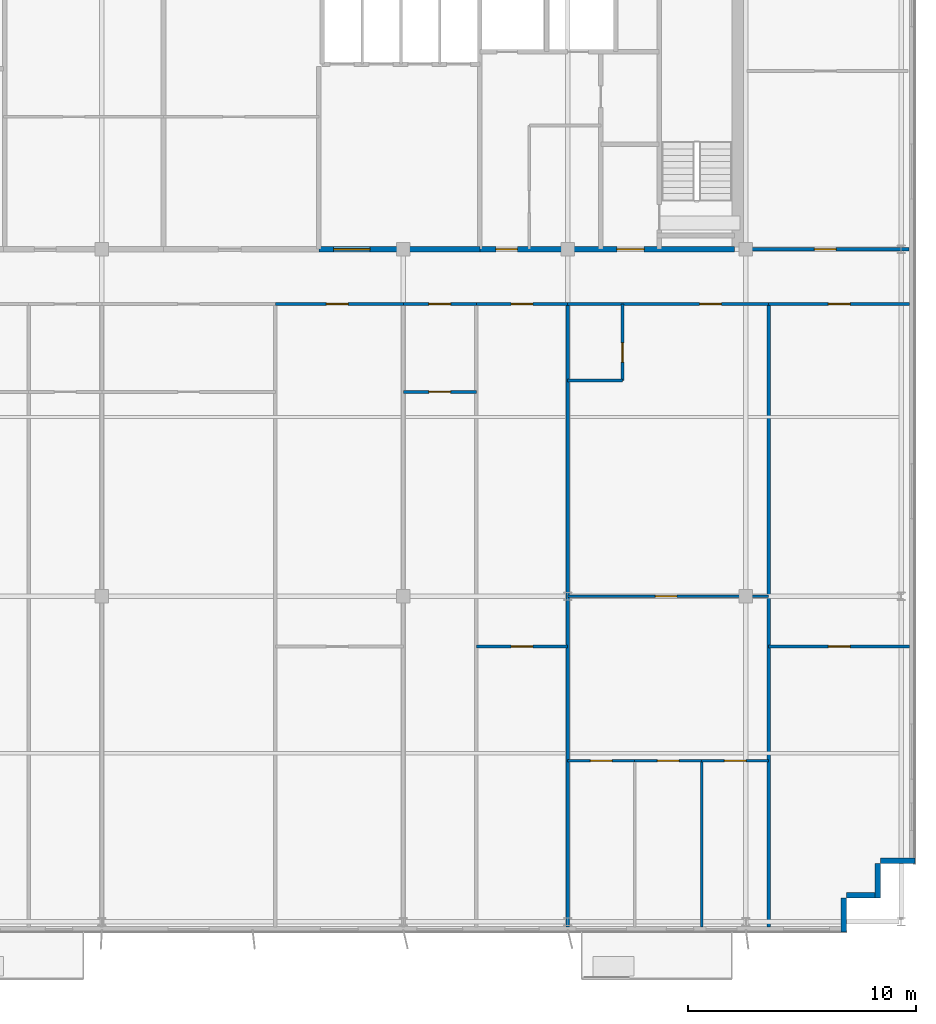
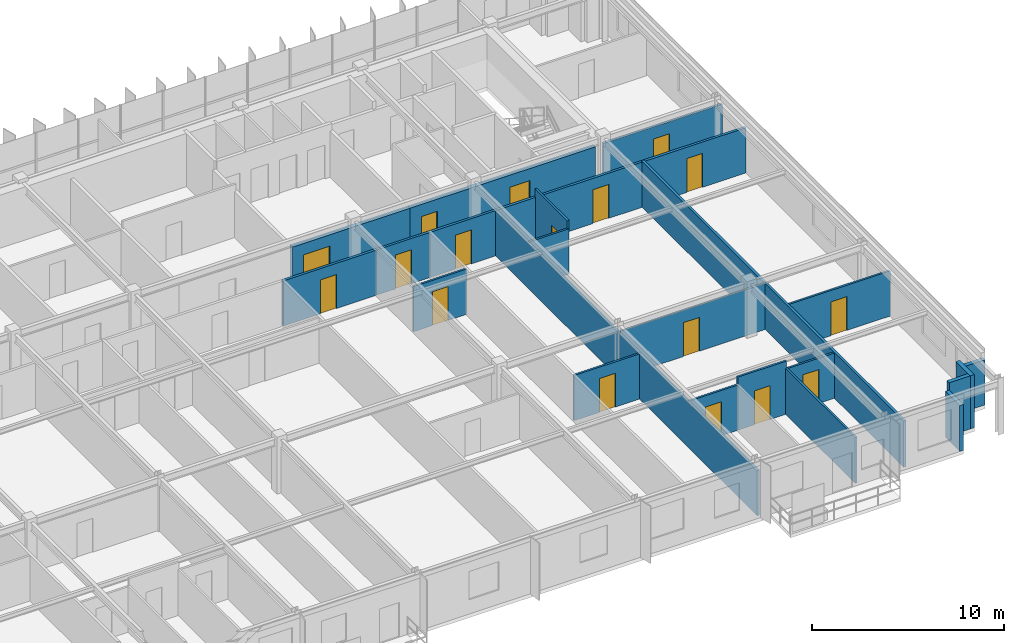
# One storey, part 18 of 22: 24 walls, 17 doors, 17 openings.
"""IFC4 building model written with IfcOpenShell, lengths in metres."""

from ifc_helpers import new_model, si_unit, direction, frame, frame_2d, origin, place, context, subcontext, project, spatial, rectangle, extrude, source, transform, mapped, material, layer, layer_set, type_object, element, fill, save


model = new_model("IFC4")

# Units and contexts
model_context = context("Model", 3, precision=1e-05, world=origin(), true_north=direction((0.0, 1.0)))
body_context = subcontext(model_context, "Body", "Model", "MODEL_VIEW")
ifc_project = project(units=[si_unit("LENGTHUNIT", "METRE"), si_unit("AREAUNIT", "SQUARE_METRE"), si_unit("VOLUMEUNIT", "CUBIC_METRE"), si_unit("PLANEANGLEUNIT", "RADIAN"), si_unit("MASSUNIT", "GRAM", prefix="KILO")], contexts=[model_context])

# Site, building, storey
site_placement = place(None, origin())
site = spatial("IfcSite", under=ifc_project, at=site_placement, CompositionType="ELEMENT")
building_placement = place(site_placement, origin())
building = spatial("IfcBuilding", under=site, at=building_placement, Name="Trelvane Seafront Commons", CompositionType="ELEMENT")
storey_placement = place(building_placement, frame((0.0, 0.0, 281.10009765625)))
storey = spatial("IfcBuildingStorey", under=building, at=storey_placement, Name="L73", CompositionType="ELEMENT", Elevation=281.10009765625)

# Walls
ifc_material_1 = material(Name="Precast concrete C40/50", Category="concrete")
ifc_layer_1 = layer(ifc_material_1, 0.239990234375, Name="ARCH-WALL-EXT240")
ifc_layer_set_1 = layer_set([ifc_layer_1], Name="Precast concrete C40/50")
wall_type_1 = type_object("IfcWallType", Name="ARCH-WALL-EXT240", PredefinedType="SOLIDWALL", material=ifc_layer_set_1)
wall_1_placement = place(storey_placement, frame((66.199951171875, 6.6201171875, 0.0), z_axis=(0.0, 0.0, 1.0), x_axis=(-1.0, 0.0, 0.0)))
element("IfcWall", 1, at=wall_1_placement, inside=storey, type_object=wall_type_1, Name="EW-L73-01481", PredefinedType="SOLIDWALL", context=body_context, shape_type="SweptSolid", body=[
    extrude(rectangle(XDim=1.5, YDim=0.239990234375, at=frame_2d((0.75, 0.0))), origin(), (0.0, 0.0, 1.0), 2.869873046875),
])
for number, where, z_axis, x_axis, name in (
    (2, (64.580078125, 6.5, 0.0), (0.0, 0.0, 1.0), (0.0, -1.0, 0.0), "EW-L73-01482"),
    (3, (64.699951171875, 5.1201171875, 0.0), (0.0, 0.0, 1.0), (-1.0, 0.0, 0.0), "EW-L73-01483"),
):
    element("IfcWall", number, at=place(storey_placement, frame(where, z_axis=z_axis, x_axis=x_axis)), inside=storey, type_object=wall_type_1, Name=name, PredefinedType="SOLIDWALL", context=body_context, shape_type="SweptSolid", body=[
        extrude(rectangle(XDim=1.5, YDim=0.239990234375, at=frame_2d((0.75, 0.0))), origin(), (0.0, 0.0, 1.0), 3.369873046875),
    ])
wall_2_placement = place(storey_placement, frame((63.080078125, 5.0, 0.0), z_axis=(0.0, 0.0, 1.0), x_axis=(0.0, -1.0, 0.0)))
element("IfcWall", 4, at=wall_2_placement, inside=storey, type_object=wall_type_1, Name="EW-L73-01484", PredefinedType="SOLIDWALL", context=body_context, shape_type="SweptSolid", body=[
    extrude(rectangle(XDim=1.5, YDim=0.239990234375, at=frame_2d((0.75, 0.0))), origin(), (0.0, 0.0, 1.0), 2.919921875),
])

# Wall, opening, door
ifc_material_2 = material(Name="Concrete C40/50", Category="concrete")
ifc_layer_2 = layer(ifc_material_2, 0.25, Name="ARCH-WALL-FIRE250")
ifc_layer_set_2 = layer_set([ifc_layer_2], Name="Concrete C40/50")
wall_type_2 = type_object("IfcWallType", Name="ARCH-WALL-FIRE250", PredefinedType="PARTITIONING", material=ifc_layer_set_2)
wall_3_placement = place(storey_placement, frame((40.10009765625, 33.39990234375, 0.0), z_axis=(0.0, 0.0, 1.0), x_axis=(1.0, 0.0, 0.0)))
wall_3 = element("IfcWall", 5, at=wall_3_placement, inside=storey, type_object=wall_type_2, Name="W-L73-CS-PAX-026", PredefinedType="PARTITIONING", context=body_context, shape_type="SweptSolid", body=[
    extrude(rectangle(XDim=7.0498046875, YDim=0.25, at=frame_2d((3.52490234375, 0.0))), origin(), (0.0, 0.0, 1.0), 2.919921875),
])
opening_1_placement = place(wall_3_placement, frame((0.64990234375, 0.0, 0.0)))
opening_1 = element("IfcOpeningElement", 6, at=opening_1_placement, cuts=wall_3, Name="Opening FD-L73-14", PredefinedType="OPENING", context=body_context, shape_type="SweptSolid", body=[
    extrude(rectangle(XDim=1.60009765625, YDim=2.199951171875, at=frame_2d((0.800048828125, 1.10009765625))), frame((0.0, 0.135009765625, 0.0), z_axis=(0.0, -1.0, 0.0), x_axis=(1.0, 0.0, 0.0)), (0.0, 0.0, 1.0), 0.27001953125),
])
ifc_material_3 = material(Name="Powder-coated aluminium frame", Category="aluminium")
door_type_1 = type_object("IfcDoorType", Name="ARCH-DR-FD60-1600", OperationType="DOUBLE_DOOR_SINGLE_SWING", PredefinedType="DOOR", material=ifc_material_3)
shared_shape_1 = source(origin(), body_context, "Body", "SweptSolid", [
    extrude(rectangle(XDim=1.60009765625, YDim=2.199951171875, at=frame_2d((0.800048828125, 1.10009765625))), frame((0.0, 0.02490234375, 0.0), z_axis=(0.0, -1.0, 0.0), x_axis=(1.0, 0.0, 0.0)), (0.0, 0.0, 1.0), 0.050048828125),
])
door_1_placement = place(opening_1_placement, origin())
door_1 = element("IfcDoor", 7, at=door_1_placement, inside=storey, type_object=door_type_1, Name="L73 High-Rise Lift Lobby Double Door", OperationType="DOUBLE_DOOR_SINGLE_SWING", OverallHeight=2.199951171875, OverallWidth=1.60009765625, PredefinedType="DOOR", context=body_context, shape_type="MappedRepresentation", body=[
    mapped(shared_shape_1, transform((0.0, 0.0, 0.0), x_axis=(1.0, 0.0, 0.0), y_axis=(0.0, 1.0, 0.0), z_axis=(0.0, 0.0, 1.0), scale=1.0)),
])
fill(opening_1, door_1)

# Wall, openings, doors
wall_4_placement = place(storey_placement, frame((47.14990234375, 33.39990234375, 0.0), z_axis=(0.0, 0.0, 1.0), x_axis=(1.0, 0.0, 0.0)))
wall_4 = element("IfcWall", 8, at=wall_4_placement, inside=storey, type_object=wall_type_2, Name="W-L73-CS-EAST-034", PredefinedType="PARTITIONING", context=body_context, shape_type="SweptSolid", body=[
    extrude(rectangle(XDim=11.150146484375, YDim=0.25, at=frame_2d((5.5751953125, 0.0))), origin(), (0.0, 0.0, 1.0), 2.919921875),
])
opening_2_placement = place(wall_4_placement, frame((0.699951171875, 0.0, 0.0)))
opening_2 = element("IfcOpeningElement", 9, at=opening_2_placement, cuts=wall_4, Name="Opening FD-L73-19", PredefinedType="OPENING", context=body_context, shape_type="SweptSolid", body=[
    extrude(rectangle(XDim=0.949951171875, YDim=2.14990234375, at=frame_2d((0.47509765625, 1.074951171875))), frame((0.0, 0.135009765625, 0.0), z_axis=(0.0, -1.0, 0.0), x_axis=(1.0, 0.0, 0.0)), (0.0, 0.0, 1.0), 0.27001953125),
])
opening_3_placement = place(wall_4_placement, frame((6.0, 0.0, 0.0)))
opening_3 = element("IfcOpeningElement", 10, at=opening_3_placement, cuts=wall_4, Name="Opening FD-L73-20", PredefinedType="OPENING", context=body_context, shape_type="SweptSolid", body=[
    extrude(rectangle(XDim=1.199951171875, YDim=2.14990234375, at=frame_2d((0.60009765625, 1.074951171875))), frame((0.0, 0.135009765625, 0.0), z_axis=(0.0, -1.0, 0.0), x_axis=(1.0, 0.0, 0.0)), (0.0, 0.0, 1.0), 0.27001953125),
])
door_type_2 = type_object("IfcDoorType", Name="ARCH-DR-FD60-950", OperationType="NOTDEFINED", PredefinedType="DOOR", material=ifc_material_3)
shared_shape_2 = source(origin(), body_context, "Body", "SweptSolid", [
    extrude(rectangle(XDim=0.949951171875, YDim=2.14990234375, at=frame_2d((0.47509765625, 1.074951171875))), frame((0.0, 0.02490234375, 0.0), z_axis=(0.0, -1.0, 0.0), x_axis=(1.0, 0.0, 0.0)), (0.0, 0.0, 1.0), 0.050048828125),
])
door_2_placement = place(opening_2_placement, origin())
door_2 = element("IfcDoor", 11, at=door_2_placement, inside=storey, type_object=door_type_2, Name="L73 Core Service Lobby Door", OperationType="SINGLE_SWING_LEFT", OverallHeight=2.14990234375, OverallWidth=0.949951171875, PredefinedType="DOOR", context=body_context, shape_type="MappedRepresentation", body=[
    mapped(shared_shape_2, transform((0.0, 0.0, 0.0), x_axis=(1.0, 0.0, 0.0), y_axis=(0.0, 1.0, 0.0), z_axis=(0.0, 0.0, 1.0), scale=1.0)),
])
fill(opening_2, door_2)
door_type_3 = type_object("IfcDoorType", Name="ARCH-DR-FD60-1200", OperationType="NOTDEFINED", PredefinedType="DOOR", material=ifc_material_3)
shared_shape_3 = source(origin(), body_context, "Body", "SweptSolid", [
    extrude(rectangle(XDim=1.199951171875, YDim=2.14990234375, at=frame_2d((0.60009765625, 1.074951171875))), frame((0.0, 0.02490234375, 0.0), z_axis=(0.0, -1.0, 0.0), x_axis=(1.0, 0.0, 0.0)), (0.0, 0.0, 1.0), 0.050048828125),
])
door_3_placement = place(opening_3_placement, origin())
door_3 = element("IfcDoor", 12, at=door_3_placement, inside=storey, type_object=door_type_3, Name="L73 East Stair Vestibule Fire Door", OperationType="SINGLE_SWING_RIGHT", OverallHeight=2.14990234375, OverallWidth=1.199951171875, PredefinedType="DOOR", context=body_context, shape_type="MappedRepresentation", body=[
    mapped(shared_shape_3, transform((0.0, 0.0, 0.0), x_axis=(1.0, 0.0, 0.0), y_axis=(0.0, 1.0, 0.0), z_axis=(0.0, 0.0, 1.0), scale=1.0)),
])
fill(opening_3, door_3)

# Wall, opening, door
ifc_material_4 = material(Name="Gypsum Drywall Acoustic Partition")
ifc_layer_3 = layer(ifc_material_4, 0.1201171875, Name="ARCH-WALL-PART120")
ifc_layer_set_3 = layer_set([ifc_layer_3], Name="Gypsum Drywall Acoustic Partition")
wall_type_3 = type_object("IfcWallType", Name="ARCH-WALL-PART120", PredefinedType="PARTITIONING", material=ifc_layer_set_3)
wall_5_placement = place(storey_placement, frame((43.800048828125, 27.14990234375, 0.0), z_axis=(0.0, 0.0, 1.0), x_axis=(1.0, 0.0, 0.0)))
wall_5 = element("IfcWall", 13, at=wall_5_placement, inside=storey, type_object=wall_type_3, Name="W-L73-U7-DIV-071", PredefinedType="PARTITIONING", context=body_context, shape_type="SweptSolid", body=[
    extrude(rectangle(XDim=3.199951171875, YDim=0.1201171875, at=frame_2d((1.60009765625, 0.0))), origin(), (0.0, 0.0, 1.0), 2.869873046875),
])
opening_4_placement = place(wall_5_placement, frame((1.125, 0.0, 0.0)))
opening_4 = element("IfcOpeningElement", 14, at=opening_4_placement, cuts=wall_5, Name="Opening D-L73-45", PredefinedType="OPENING", context=body_context, shape_type="SweptSolid", body=[
    extrude(rectangle(XDim=0.949951171875, YDim=2.14990234375, at=frame_2d((0.47509765625, 1.074951171875))), frame((0.0, 0.070068359375, 0.0), z_axis=(0.0, -1.0, 0.0), x_axis=(1.0, 0.0, 0.0)), (0.0, 0.0, 1.0), 0.14013671875),
])
ifc_material_5 = material(Name="Acoustic timber door leaf", Category="wood")
door_type_4 = type_object("IfcDoorType", Name="ARCH-DR-INT950", OperationType="NOTDEFINED", PredefinedType="DOOR", material=ifc_material_5)
door_4_placement = place(opening_4_placement, origin())
door_4 = element("IfcDoor", 15, at=door_4_placement, inside=storey, type_object=door_type_4, Name="L73 Door 45", OperationType="SINGLE_SWING_LEFT", OverallHeight=2.14990234375, OverallWidth=0.949951171875, PredefinedType="DOOR", context=body_context, shape_type="MappedRepresentation", body=[
    mapped(shared_shape_2, transform((0.0, 0.0, 0.0), x_axis=(1.0, 0.0, 0.0), y_axis=(0.0, 1.0, 0.0), z_axis=(0.0, 0.0, 1.0), scale=1.0)),
])
fill(opening_4, door_4)

wall_6_placement = place(storey_placement, frame((47.0, 16.0, 0.0), z_axis=(0.0, 0.0, 1.0), x_axis=(1.0, 0.0, 0.0)))
wall_6 = element("IfcWall", 16, at=wall_6_placement, inside=storey, type_object=wall_type_3, Name="W-L73-U8-DIV-073", PredefinedType="PARTITIONING", context=body_context, shape_type="SweptSolid", body=[
    extrude(rectangle(XDim=4.0, YDim=0.1201171875, at=frame_2d((2.0, 0.0))), origin(), (0.0, 0.0, 1.0), 2.869873046875),
])
opening_5_placement = place(wall_6_placement, frame((1.52490234375, 0.0, 0.0)))
opening_5 = element("IfcOpeningElement", 17, at=opening_5_placement, cuts=wall_6, Name="Opening D-L73-47", PredefinedType="OPENING", context=body_context, shape_type="SweptSolid", body=[
    extrude(rectangle(XDim=0.949951171875, YDim=2.14990234375, at=frame_2d((0.47509765625, 1.074951171875))), frame((0.0, 0.070068359375, 0.0), z_axis=(0.0, -1.0, 0.0), x_axis=(1.0, 0.0, 0.0)), (0.0, 0.0, 1.0), 0.14013671875),
])
door_5_placement = place(opening_5_placement, origin())
door_5 = element("IfcDoor", 18, at=door_5_placement, inside=storey, type_object=door_type_4, Name="L73 Door 47", OperationType="SINGLE_SWING_LEFT", OverallHeight=2.14990234375, OverallWidth=0.949951171875, PredefinedType="DOOR", context=body_context, shape_type="MappedRepresentation", body=[
    mapped(shared_shape_2, transform((0.0, 0.0, 0.0), x_axis=(1.0, 0.0, 0.0), y_axis=(0.0, 1.0, 0.0), z_axis=(0.0, 0.0, 1.0), scale=1.0)),
])
fill(opening_5, door_5)

wall_7_placement = place(storey_placement, frame((51.0, 18.199951171875, 0.0), z_axis=(0.0, 0.0, 1.0), x_axis=(1.0, 0.0, 0.0)))
wall_7 = element("IfcWall", 19, at=wall_7_placement, inside=storey, type_object=wall_type_3, Name="W-L73-U9-KL-074", PredefinedType="PARTITIONING", context=body_context, shape_type="SweptSolid", body=[
    extrude(rectangle(XDim=8.800048828125, YDim=0.1201171875, at=frame_2d((4.39990234375, 0.0))), origin(), (0.0, 0.0, 1.0), 2.919921875),
])
opening_6_placement = place(wall_7_placement, frame((3.833984375, 0.0, 0.0)))
opening_6 = element("IfcOpeningElement", 20, at=opening_6_placement, cuts=wall_7, Name="Opening D-L73-48", PredefinedType="OPENING", context=body_context, shape_type="SweptSolid", body=[
    extrude(rectangle(XDim=0.949951171875, YDim=2.14990234375, at=frame_2d((0.47509765625, 1.074951171875))), frame((0.0, 0.070068359375, 0.0), z_axis=(0.0, -1.0, 0.0), x_axis=(1.0, 0.0, 0.0)), (0.0, 0.0, 1.0), 0.14013671875),
])
door_6_placement = place(opening_6_placement, origin())
door_6 = element("IfcDoor", 21, at=door_6_placement, inside=storey, type_object=door_type_4, Name="L73 Door 48", OperationType="SINGLE_SWING_RIGHT", OverallHeight=2.14990234375, OverallWidth=0.949951171875, PredefinedType="DOOR", context=body_context, shape_type="MappedRepresentation", body=[
    mapped(shared_shape_2, transform((0.0, 0.0, 0.0), x_axis=(1.0, 0.0, 0.0), y_axis=(0.0, 1.0, 0.0), z_axis=(0.0, 0.0, 1.0), scale=1.0)),
])
fill(opening_6, door_6)

wall_8_placement = place(storey_placement, frame((53.39990234375, 27.64990234375, 0.0), z_axis=(0.0, 0.0, 1.0), x_axis=(0.0, 1.0, 0.0)))
wall_8 = element("IfcWall", 22, at=wall_8_placement, inside=storey, type_object=wall_type_3, Name="W-L73-U9-BE-075", PredefinedType="PARTITIONING", context=body_context, shape_type="SweptSolid", body=[
    extrude(rectangle(XDim=3.35009765625, YDim=0.1201171875, at=frame_2d((1.675048828125, 0.0))), origin(), (0.0, 0.0, 1.0), 3.369873046875),
])
opening_7_placement = place(wall_8_placement, frame((0.800048828125, 0.0, 0.0)))
opening_7 = element("IfcOpeningElement", 23, at=opening_7_placement, cuts=wall_8, Name="Opening D-L73-49", PredefinedType="OPENING", context=body_context, shape_type="SweptSolid", body=[
    extrude(rectangle(XDim=0.85009765625, YDim=2.10009765625, at=frame_2d((0.425048828125, 1.050048828125))), frame((0.0, 0.070068359375, 0.0), z_axis=(0.0, -1.0, 0.0), x_axis=(1.0, 0.0, 0.0)), (0.0, 0.0, 1.0), 0.14013671875),
])
door_type_5 = type_object("IfcDoorType", Name="ARCH-DR-INT850", OperationType="NOTDEFINED", PredefinedType="DOOR", material=ifc_material_5)
shared_shape_4 = source(origin(), body_context, "Body", "SweptSolid", [
    extrude(rectangle(XDim=0.85009765625, YDim=2.10009765625, at=frame_2d((0.425048828125, 1.050048828125))), frame((0.0, 0.02490234375, 0.0), z_axis=(0.0, -1.0, 0.0), x_axis=(1.0, 0.0, 0.0)), (0.0, 0.0, 1.0), 0.050048828125),
])
door_7_placement = place(opening_7_placement, origin())
door_7 = element("IfcDoor", 24, at=door_7_placement, inside=storey, type_object=door_type_5, Name="L73 Door 49", OperationType="SINGLE_SWING_LEFT", OverallHeight=2.10009765625, OverallWidth=0.85009765625, PredefinedType="DOOR", context=body_context, shape_type="MappedRepresentation", body=[
    mapped(shared_shape_4, transform((0.0, 0.0, 0.0), x_axis=(1.0, 0.0, 0.0), y_axis=(0.0, 1.0, 0.0), z_axis=(0.0, 0.0, 1.0), scale=1.0)),
])
fill(opening_7, door_7)

# Wall
wall_9_placement = place(storey_placement, frame((51.0, 27.64990234375, 0.0), z_axis=(0.0, 0.0, 1.0), x_axis=(1.0, 0.0, 0.0)))
element("IfcWall", 25, at=wall_9_placement, inside=storey, type_object=wall_type_3, Name="W-L73-U9-BS-076", PredefinedType="PARTITIONING", context=body_context, shape_type="SweptSolid", body=[
    extrude(rectangle(XDim=2.39990234375, YDim=0.1201171875, at=frame_2d((1.199951171875, 0.0))), origin(), (0.0, 0.0, 1.0), 2.869873046875),
])

# Wall, opening, door
wall_10_placement = place(storey_placement, frame((51.0, 11.0, 0.0), z_axis=(0.0, 0.0, 1.0), x_axis=(1.0, 0.0, 0.0)))
wall_10 = element("IfcWall", 26, at=wall_10_placement, inside=storey, type_object=wall_type_3, Name="W-L73-U9-YM-1-078", PredefinedType="PARTITIONING", context=body_context, shape_type="SweptSolid", body=[
    extrude(rectangle(XDim=2.93310546875, YDim=0.1201171875, at=frame_2d((1.466552734375, 0.0))), origin(), (0.0, 0.0, 1.0), 2.869873046875),
])
opening_8_placement = place(wall_10_placement, frame((0.990966796875, 0.0, 0.0)))
opening_8 = element("IfcOpeningElement", 27, at=opening_8_placement, cuts=wall_10, Name="Opening D-L73-51", PredefinedType="OPENING", context=body_context, shape_type="SweptSolid", body=[
    extrude(rectangle(XDim=0.949951171875, YDim=2.14990234375, at=frame_2d((0.47509765625, 1.074951171875))), frame((0.0, 0.070068359375, 0.0), z_axis=(0.0, -1.0, 0.0), x_axis=(1.0, 0.0, 0.0)), (0.0, 0.0, 1.0), 0.14013671875),
])
door_8_placement = place(opening_8_placement, origin())
door_8 = element("IfcDoor", 28, at=door_8_placement, inside=storey, type_object=door_type_4, Name="L73 Door 51", OperationType="SINGLE_SWING_LEFT", OverallHeight=2.14990234375, OverallWidth=0.949951171875, PredefinedType="DOOR", context=body_context, shape_type="MappedRepresentation", body=[
    mapped(shared_shape_2, transform((0.0, 0.0, 0.0), x_axis=(1.0, 0.0, 0.0), y_axis=(0.0, 1.0, 0.0), z_axis=(0.0, 0.0, 1.0), scale=1.0)),
])
fill(opening_8, door_8)

wall_11_placement = place(storey_placement, frame((53.93310546875, 11.0, 0.0), z_axis=(0.0, 0.0, 1.0), x_axis=(1.0, 0.0, 0.0)))
wall_11 = element("IfcWall", 29, at=wall_11_placement, inside=storey, type_object=wall_type_3, Name="W-L73-U9-YM-2-079", PredefinedType="PARTITIONING", context=body_context, shape_type="SweptSolid", body=[
    extrude(rectangle(XDim=2.933837890625, YDim=0.1201171875, at=frame_2d((1.466796875, 0.0))), origin(), (0.0, 0.0, 1.0), 3.369873046875),
])
opening_9_placement = place(wall_11_placement, frame((0.991943359375, 0.0, 0.0)))
opening_9 = element("IfcOpeningElement", 30, at=opening_9_placement, cuts=wall_11, Name="Opening D-L73-52", PredefinedType="OPENING", context=body_context, shape_type="SweptSolid", body=[
    extrude(rectangle(XDim=0.949951171875, YDim=2.14990234375, at=frame_2d((0.47509765625, 1.074951171875))), frame((0.0, 0.070068359375, 0.0), z_axis=(0.0, -1.0, 0.0), x_axis=(1.0, 0.0, 0.0)), (0.0, 0.0, 1.0), 0.14013671875),
])
door_9_placement = place(opening_9_placement, origin())
door_9 = element("IfcDoor", 31, at=door_9_placement, inside=storey, type_object=door_type_4, Name="L73 Door 52", OperationType="SINGLE_SWING_RIGHT", OverallHeight=2.14990234375, OverallWidth=0.949951171875, PredefinedType="DOOR", context=body_context, shape_type="MappedRepresentation", body=[
    mapped(shared_shape_2, transform((0.0, 0.0, 0.0), x_axis=(1.0, 0.0, 0.0), y_axis=(0.0, 1.0, 0.0), z_axis=(0.0, 0.0, 1.0), scale=1.0)),
])
fill(opening_9, door_9)

wall_12_placement = place(storey_placement, frame((56.866943359375, 11.0, 0.0), z_axis=(0.0, 0.0, 1.0), x_axis=(1.0, 0.0, 0.0)))
wall_12 = element("IfcWall", 32, at=wall_12_placement, inside=storey, type_object=wall_type_3, Name="W-L73-U9-YM-3-081", PredefinedType="PARTITIONING", context=body_context, shape_type="SweptSolid", body=[
    extrude(rectangle(XDim=2.93310546875, YDim=0.1201171875, at=frame_2d((1.466552734375, 0.0))), origin(), (0.0, 0.0, 1.0), 2.869873046875),
])
opening_10_placement = place(wall_12_placement, frame((0.990966796875, 0.0, 0.0)))
opening_10 = element("IfcOpeningElement", 33, at=opening_10_placement, cuts=wall_12, Name="Opening D-L73-53", PredefinedType="OPENING", context=body_context, shape_type="SweptSolid", body=[
    extrude(rectangle(XDim=0.949951171875, YDim=2.14990234375, at=frame_2d((0.47509765625, 1.074951171875))), frame((0.0, 0.070068359375, 0.0), z_axis=(0.0, -1.0, 0.0), x_axis=(1.0, 0.0, 0.0)), (0.0, 0.0, 1.0), 0.14013671875),
])
door_10_placement = place(opening_10_placement, origin())
door_10 = element("IfcDoor", 34, at=door_10_placement, inside=storey, type_object=door_type_4, Name="L73 Door 53", OperationType="SINGLE_SWING_LEFT", OverallHeight=2.14990234375, OverallWidth=0.949951171875, PredefinedType="DOOR", context=body_context, shape_type="MappedRepresentation", body=[
    mapped(shared_shape_2, transform((0.0, 0.0, 0.0), x_axis=(1.0, 0.0, 0.0), y_axis=(0.0, 1.0, 0.0), z_axis=(0.0, 0.0, 1.0), scale=1.0)),
])
fill(opening_10, door_10)

# Wall
wall_13_placement = place(storey_placement, frame((56.866943359375, 3.72509765625, 0.0), z_axis=(0.0, 0.0, 1.0), x_axis=(0.0, 1.0, 0.0)))
element("IfcWall", 35, at=wall_13_placement, inside=storey, type_object=wall_type_3, Name="W-L73-U9-BDV-2-082", PredefinedType="PARTITIONING", context=body_context, shape_type="SweptSolid", body=[
    extrude(rectangle(XDim=7.27490234375, YDim=0.1201171875, at=frame_2d((3.637451171875, 0.0))), origin(), (0.0, 0.0, 1.0), 2.919921875),
])

# Wall, opening, door
wall_14_placement = place(storey_placement, frame((59.800048828125, 16.0, 0.0), z_axis=(0.0, 0.0, 1.0), x_axis=(1.0, 0.0, 0.0)))
wall_14 = element("IfcWall", 36, at=wall_14_placement, inside=storey, type_object=wall_type_3, Name="W-L73-U10-DIV-084", PredefinedType="PARTITIONING", context=body_context, shape_type="SweptSolid", body=[
    extrude(rectangle(XDim=6.175048828125, YDim=0.1201171875, at=frame_2d((3.08740234375, 0.0))), origin(), (0.0, 0.0, 1.0), 2.869873046875),
])
opening_11_placement = place(wall_14_placement, frame((2.612060546875, 0.0, 0.0)))
opening_11 = element("IfcOpeningElement", 37, at=opening_11_placement, cuts=wall_14, Name="Opening D-L73-55", PredefinedType="OPENING", context=body_context, shape_type="SweptSolid", body=[
    extrude(rectangle(XDim=0.949951171875, YDim=2.14990234375, at=frame_2d((0.47509765625, 1.074951171875))), frame((0.0, 0.070068359375, 0.0), z_axis=(0.0, -1.0, 0.0), x_axis=(1.0, 0.0, 0.0)), (0.0, 0.0, 1.0), 0.14013671875),
])
door_11_placement = place(opening_11_placement, origin())
door_11 = element("IfcDoor", 38, at=door_11_placement, inside=storey, type_object=door_type_4, Name="L73 Door 55", OperationType="SINGLE_SWING_LEFT", OverallHeight=2.14990234375, OverallWidth=0.949951171875, PredefinedType="DOOR", context=body_context, shape_type="MappedRepresentation", body=[
    mapped(shared_shape_2, transform((0.0, 0.0, 0.0), x_axis=(1.0, 0.0, 0.0), y_axis=(0.0, 1.0, 0.0), z_axis=(0.0, 0.0, 1.0), scale=1.0)),
])
fill(opening_11, door_11)

ifc_layer_4 = layer(ifc_material_4, 0.14990234375, Name="ARCH-WALL-PART150")
ifc_layer_set_4 = layer_set([ifc_layer_4], Name="Gypsum Drywall Acoustic Partition")
wall_type_4 = type_object("IfcWallType", Name="ARCH-WALL-PART150", PredefinedType="PARTITIONING", material=ifc_layer_set_4)
wall_15_placement = place(storey_placement, frame((58.800048828125, 33.39990234375, 0.0), z_axis=(0.0, 0.0, 1.0), x_axis=(1.0, 0.0, 0.0)))
wall_15 = element("IfcWall", 39, at=wall_15_placement, inside=storey, type_object=wall_type_4, Name="W-L73-NE-ENT-038", PredefinedType="PARTITIONING", context=body_context, shape_type="SweptSolid", body=[
    extrude(rectangle(XDim=7.14990234375, YDim=0.14990234375, at=frame_2d((3.574951171875, 0.0))), origin(), (0.0, 0.0, 1.0), 2.919921875),
])
opening_12_placement = place(wall_15_placement, frame((3.0, 0.0, 0.0)))
opening_12 = element("IfcOpeningElement", 40, at=opening_12_placement, cuts=wall_15, Name="Opening FD-L73-24", PredefinedType="OPENING", context=body_context, shape_type="SweptSolid", body=[
    extrude(rectangle(XDim=0.949951171875, YDim=2.14990234375, at=frame_2d((0.47509765625, 1.074951171875))), frame((0.0, 0.0849609375, 0.0), z_axis=(0.0, -1.0, 0.0), x_axis=(1.0, 0.0, 0.0)), (0.0, 0.0, 1.0), 0.169921875),
])
door_12_placement = place(opening_12_placement, origin())
door_12 = element("IfcDoor", 41, at=door_12_placement, inside=storey, type_object=door_type_2, Name="L73 NE Suite Entrance Door", OperationType="SINGLE_SWING_RIGHT", OverallHeight=2.14990234375, OverallWidth=0.949951171875, PredefinedType="DOOR", context=body_context, shape_type="MappedRepresentation", body=[
    mapped(shared_shape_2, transform((0.0, 0.0, 0.0), x_axis=(1.0, 0.0, 0.0), y_axis=(0.0, 1.0, 0.0), z_axis=(0.0, 0.0, 1.0), scale=1.0)),
])
fill(opening_12, door_12)

# Walls
wall_16_placement = place(storey_placement, frame((51.0, 3.72509765625, 0.0), z_axis=(0.0, 0.0, 1.0), x_axis=(0.0, 1.0, 0.0)))
element("IfcWall", 42, at=wall_16_placement, inside=storey, type_object=wall_type_4, Name="W-L73-PW-8-049", PredefinedType="PARTITIONING", context=body_context, shape_type="SweptSolid", body=[
    extrude(rectangle(XDim=27.27490234375, YDim=0.14990234375, at=frame_2d((13.637451171875, 0.0))), origin(), (0.0, 0.0, 1.0), 2.869873046875),
])
wall_17_placement = place(storey_placement, frame((59.800048828125, 3.72509765625, 0.0), z_axis=(0.0, 0.0, 1.0), x_axis=(0.0, 1.0, 0.0)))
element("IfcWall", 43, at=wall_17_placement, inside=storey, type_object=wall_type_4, Name="W-L73-PW-9-050", PredefinedType="PARTITIONING", context=body_context, shape_type="SweptSolid", body=[
    extrude(rectangle(XDim=27.27490234375, YDim=0.14990234375, at=frame_2d((13.637451171875, 0.0))), origin(), (0.0, 0.0, 1.0), 2.919921875),
])

# Wall, opening, door
wall_18_placement = place(storey_placement, frame((38.199951171875, 31.0, 0.0), z_axis=(0.0, 0.0, 1.0), x_axis=(1.0, 0.0, 0.0)))
wall_18 = element("IfcWall", 44, at=wall_18_placement, inside=storey, type_object=wall_type_4, Name="W-L73-CS-BAY-6-068", PredefinedType="PARTITIONING", context=body_context, shape_type="SweptSolid", body=[
    extrude(rectangle(XDim=5.60009765625, YDim=0.14990234375, at=frame_2d((2.800048828125, 0.0))), origin(), (0.0, 0.0, 1.0), 2.869873046875),
])
opening_13_placement = place(wall_18_placement, frame((2.23193359375, 0.0, 0.0)))
opening_13 = element("IfcOpeningElement", 45, at=opening_13_placement, cuts=wall_18, Name="Opening FD-L73-42", PredefinedType="OPENING", context=body_context, shape_type="SweptSolid", body=[
    extrude(rectangle(XDim=0.949951171875, YDim=2.14990234375, at=frame_2d((0.47509765625, 1.074951171875))), frame((0.0, 0.0849609375, 0.0), z_axis=(0.0, -1.0, 0.0), x_axis=(1.0, 0.0, 0.0)), (0.0, 0.0, 1.0), 0.169921875),
])
door_13_placement = place(opening_13_placement, origin())
door_13 = element("IfcDoor", 46, at=door_13_placement, inside=storey, type_object=door_type_2, Name="L73 Bay 06 Entrance Door", OperationType="SINGLE_SWING_RIGHT", OverallHeight=2.14990234375, OverallWidth=0.949951171875, PredefinedType="DOOR", context=body_context, shape_type="MappedRepresentation", body=[
    mapped(shared_shape_2, transform((0.0, 0.0, 0.0), x_axis=(1.0, 0.0, 0.0), y_axis=(0.0, 1.0, 0.0), z_axis=(0.0, 0.0, 1.0), scale=1.0)),
])
fill(opening_13, door_13)

wall_19_placement = place(storey_placement, frame((43.800048828125, 31.0, 0.0), z_axis=(0.0, 0.0, 1.0), x_axis=(1.0, 0.0, 0.0)))
wall_19 = element("IfcWall", 47, at=wall_19_placement, inside=storey, type_object=wall_type_4, Name="W-L73-CS-BAY-7-070", PredefinedType="PARTITIONING", context=body_context, shape_type="SweptSolid", body=[
    extrude(rectangle(XDim=3.199951171875, YDim=0.14990234375, at=frame_2d((1.60009765625, 0.0))), origin(), (0.0, 0.0, 1.0), 2.869873046875),
])
opening_14_placement = place(wall_19_placement, frame((1.125, 0.0, 0.0)))
opening_14 = element("IfcOpeningElement", 48, at=opening_14_placement, cuts=wall_19, Name="Opening FD-L73-44", PredefinedType="OPENING", context=body_context, shape_type="SweptSolid", body=[
    extrude(rectangle(XDim=0.949951171875, YDim=2.14990234375, at=frame_2d((0.47509765625, 1.074951171875))), frame((0.0, 0.0849609375, 0.0), z_axis=(0.0, -1.0, 0.0), x_axis=(1.0, 0.0, 0.0)), (0.0, 0.0, 1.0), 0.169921875),
])
door_14_placement = place(opening_14_placement, origin())
door_14 = element("IfcDoor", 49, at=door_14_placement, inside=storey, type_object=door_type_2, Name="L73 Bay 07 Entrance Door", OperationType="SINGLE_SWING_RIGHT", OverallHeight=2.14990234375, OverallWidth=0.949951171875, PredefinedType="DOOR", context=body_context, shape_type="MappedRepresentation", body=[
    mapped(shared_shape_2, transform((0.0, 0.0, 0.0), x_axis=(1.0, 0.0, 0.0), y_axis=(0.0, 1.0, 0.0), z_axis=(0.0, 0.0, 1.0), scale=1.0)),
])
fill(opening_14, door_14)

wall_20_placement = place(storey_placement, frame((47.0, 31.0, 0.0), z_axis=(0.0, 0.0, 1.0), x_axis=(1.0, 0.0, 0.0)))
wall_20 = element("IfcWall", 50, at=wall_20_placement, inside=storey, type_object=wall_type_4, Name="W-L73-CS-BAY-8-072", PredefinedType="PARTITIONING", context=body_context, shape_type="SweptSolid", body=[
    extrude(rectangle(XDim=4.0, YDim=0.14990234375, at=frame_2d((2.0, 0.0))), origin(), (0.0, 0.0, 1.0), 2.869873046875),
])
opening_15_placement = place(wall_20_placement, frame((1.52490234375, 0.0, 0.0)))
opening_15 = element("IfcOpeningElement", 51, at=opening_15_placement, cuts=wall_20, Name="Opening FD-L73-46", PredefinedType="OPENING", context=body_context, shape_type="SweptSolid", body=[
    extrude(rectangle(XDim=0.949951171875, YDim=2.14990234375, at=frame_2d((0.47509765625, 1.074951171875))), frame((0.0, 0.0849609375, 0.0), z_axis=(0.0, -1.0, 0.0), x_axis=(1.0, 0.0, 0.0)), (0.0, 0.0, 1.0), 0.169921875),
])
door_15_placement = place(opening_15_placement, origin())
door_15 = element("IfcDoor", 52, at=door_15_placement, inside=storey, type_object=door_type_2, Name="L73 Bay 08 Entrance Door", OperationType="SINGLE_SWING_RIGHT", OverallHeight=2.14990234375, OverallWidth=0.949951171875, PredefinedType="DOOR", context=body_context, shape_type="MappedRepresentation", body=[
    mapped(shared_shape_2, transform((0.0, 0.0, 0.0), x_axis=(1.0, 0.0, 0.0), y_axis=(0.0, 1.0, 0.0), z_axis=(0.0, 0.0, 1.0), scale=1.0)),
])
fill(opening_15, door_15)

wall_21_placement = place(storey_placement, frame((51.0, 31.0, 0.0), z_axis=(0.0, 0.0, 1.0), x_axis=(1.0, 0.0, 0.0)))
wall_21 = element("IfcWall", 53, at=wall_21_placement, inside=storey, type_object=wall_type_4, Name="W-L73-CS-BAY-9-077", PredefinedType="PARTITIONING", context=body_context, shape_type="SweptSolid", body=[
    extrude(rectangle(XDim=8.800048828125, YDim=0.14990234375, at=frame_2d((4.39990234375, 0.0))), origin(), (0.0, 0.0, 1.0), 2.869873046875),
])
opening_16_placement = place(wall_21_placement, frame((5.77587890625, 0.0, 0.0)))
opening_16 = element("IfcOpeningElement", 54, at=opening_16_placement, cuts=wall_21, Name="Opening FD-L73-50", PredefinedType="OPENING", context=body_context, shape_type="SweptSolid", body=[
    extrude(rectangle(XDim=0.949951171875, YDim=2.14990234375, at=frame_2d((0.47509765625, 1.074951171875))), frame((0.0, 0.0849609375, 0.0), z_axis=(0.0, -1.0, 0.0), x_axis=(1.0, 0.0, 0.0)), (0.0, 0.0, 1.0), 0.169921875),
])
door_16_placement = place(opening_16_placement, origin())
door_16 = element("IfcDoor", 55, at=door_16_placement, inside=storey, type_object=door_type_2, Name="L73 Unit 09 Entrance Door", OperationType="SINGLE_SWING_RIGHT", OverallHeight=2.14990234375, OverallWidth=0.949951171875, PredefinedType="DOOR", context=body_context, shape_type="MappedRepresentation", body=[
    mapped(shared_shape_2, transform((0.0, 0.0, 0.0), x_axis=(1.0, 0.0, 0.0), y_axis=(0.0, 1.0, 0.0), z_axis=(0.0, 0.0, 1.0), scale=1.0)),
])
fill(opening_16, door_16)

wall_22_placement = place(storey_placement, frame((59.800048828125, 31.0, 0.0), z_axis=(0.0, 0.0, 1.0), x_axis=(1.0, 0.0, 0.0)))
wall_22 = element("IfcWall", 56, at=wall_22_placement, inside=storey, type_object=wall_type_4, Name="W-L73-CS-BAY-10-083", PredefinedType="PARTITIONING", context=body_context, shape_type="SweptSolid", body=[
    extrude(rectangle(XDim=6.175048828125, YDim=0.14990234375, at=frame_2d((3.08740234375, 0.0))), origin(), (0.0, 0.0, 1.0), 2.869873046875),
])
opening_17_placement = place(wall_22_placement, frame((2.612060546875, 0.0, 0.0)))
opening_17 = element("IfcOpeningElement", 57, at=opening_17_placement, cuts=wall_22, Name="Opening FD-L73-54", PredefinedType="OPENING", context=body_context, shape_type="SweptSolid", body=[
    extrude(rectangle(XDim=0.949951171875, YDim=2.14990234375, at=frame_2d((0.47509765625, 1.074951171875))), frame((0.0, 0.0849609375, 0.0), z_axis=(0.0, -1.0, 0.0), x_axis=(1.0, 0.0, 0.0)), (0.0, 0.0, 1.0), 0.169921875),
])
door_17_placement = place(opening_17_placement, origin())
door_17 = element("IfcDoor", 58, at=door_17_placement, inside=storey, type_object=door_type_2, Name="L73 Bay 10 Entrance Door", OperationType="SINGLE_SWING_RIGHT", OverallHeight=2.14990234375, OverallWidth=0.949951171875, PredefinedType="DOOR", context=body_context, shape_type="MappedRepresentation", body=[
    mapped(shared_shape_2, transform((0.0, 0.0, 0.0), x_axis=(1.0, 0.0, 0.0), y_axis=(0.0, 1.0, 0.0), z_axis=(0.0, 0.0, 1.0), scale=1.0)),
])
fill(opening_17, door_17)

save(model, "model.ifc")
